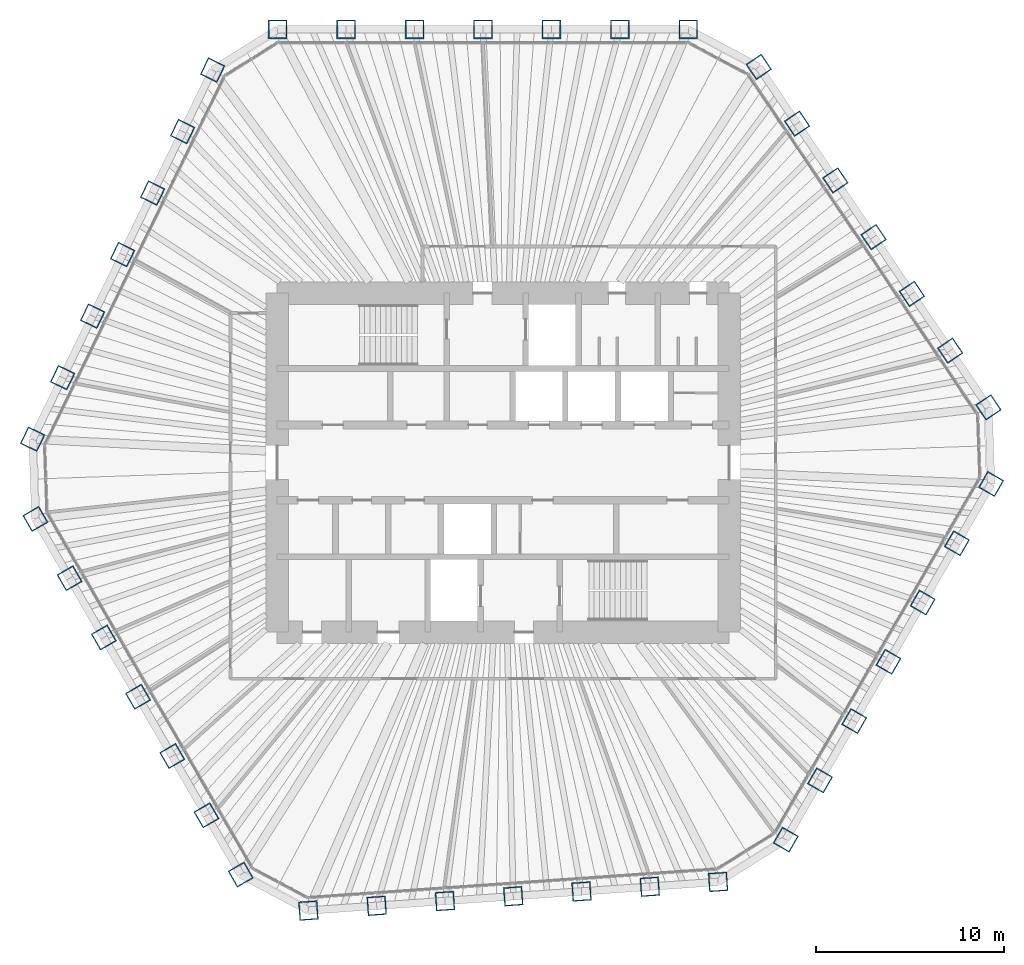
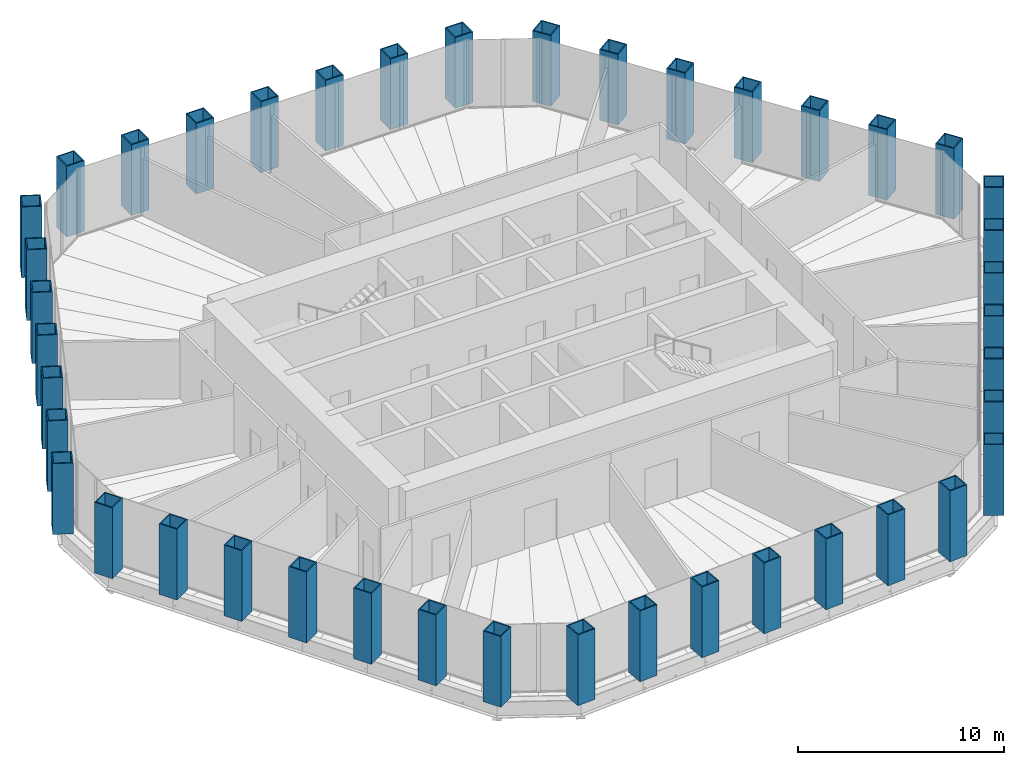
# One storey, part 1 of 14: 42 columns.
"""IFC4 building model written with IfcOpenShell, lengths in metres."""

from ifc_helpers import new_model, si_unit, direction, frame, origin, origin_2d, place, context, subcontext, project, spatial, hollow_rectangle, extrude, material, material_profile, profile_set, type_object, element, save


model = new_model("IFC4")

# Units and contexts
model_context = context("Model", 3, precision=1e-05, world=origin(), true_north=direction((0.0, 1.0)))
body_context = subcontext(model_context, "Body", "Model", "MODEL_VIEW")
ifc_project = project(units=[si_unit("LENGTHUNIT", "METRE"), si_unit("AREAUNIT", "SQUARE_METRE"), si_unit("VOLUMEUNIT", "CUBIC_METRE"), si_unit("PLANEANGLEUNIT", "RADIAN"), si_unit("MASSUNIT", "GRAM", prefix="KILO")], contexts=[model_context])

# Site, building, storey
site_placement = place(None, origin())
site = spatial("IfcSite", under=ifc_project, at=site_placement, CompositionType="ELEMENT")
building_placement = place(site_placement, origin())
building = spatial("IfcBuilding", under=site, at=building_placement, Name="Qingtian Harvest Tower", CompositionType="ELEMENT")
storey_placement = place(building_placement, frame((0.0, 0.0, 239.199951171875)))
storey = spatial("IfcBuildingStorey", under=building, at=storey_placement, Name="L52", CompositionType="ELEMENT", Elevation=239.199951171875)

# Columns
ifc_material = material(Name="Steel SM570MC", Category="steel")
ifc_material_profile = material_profile(ifc_material, hollow_rectangle(XDim=1.0, YDim=1.0, WallThickness=0.06005859375, at=origin_2d()), Name="BOX1000x1000x60")
ifc_profile_set = profile_set([ifc_material_profile], Name="Steel SM570MC")
column_type = type_object("IfcColumnType", Name="Tube column TC6 BOX1000x1000x60", PredefinedType="COLUMN", material=ifc_profile_set)
for number, where, z_axis, x_axis, name in (
    (1, (-11.971923828125, 23.0, 0.0), (0.0, 0.0, 1.0), (-1.0, 0.0, 0.0), "Tube column TC6 N0"),
    (2, (-8.33837890625, 23.0, 0.0), (0.0, 0.0, 1.0), (-1.0, 0.0, 0.0), "Tube column TC6 N1"),
    (3, (-4.704833984375, 23.0, 0.0), (0.0, 0.0, 1.0), (-1.0, 0.0, 0.0), "Tube column TC6 N2"),
    (4, (-1.0712890625, 23.0, 0.0), (0.0, 0.0, 1.0), (-1.0, 0.0, 0.0), "Tube column TC6 N3"),
    (5, (2.562255859375, 23.0, 0.0), (0.0, 0.0, 1.0), (-1.0, 0.0, 0.0), "Tube column TC6 N4"),
    (6, (6.19580078125, 23.0, 0.0), (0.0, 0.0, 1.0), (-1.0, 0.0, 0.0), "Tube column TC6 N5"),
    (7, (9.829345703125, 23.0, 0.0), (0.0, 0.0, 1.0), (-1.0, 0.0, 0.0), "Tube column TC6 N6"),
    (8, (13.5712890625, 21.01025390625, 0.0), (0.0, 0.0, 1.0), (-0.559192903471, 0.829037572555, 0.0), "Tube column TC6 NE0"),
    (9, (15.603271484375, 17.998046875, 0.0), (0.0, 0.0, 1.0), (-0.559192903471, 0.829037572555, 0.0), "Tube column TC6 NE1"),
    (10, (17.635009765625, 14.985595703125, 0.0), (0.0, 0.0, 1.0), (-0.559192903471, 0.829037572555, 0.0), "Tube column TC6 NE2"),
    (11, (19.6669921875, 11.97314453125, 0.0), (0.0, 0.0, 1.0), (-0.559192903471, 0.829037572555, 0.0), "Tube column TC6 NE3"),
    (12, (21.69873046875, 8.9609375, 0.0), (0.0, 0.0, 1.0), (-0.559192903471, 0.829037572555, 0.0), "Tube column TC6 NE4"),
    (13, (23.730712890625, 5.948486328125, 0.0), (0.0, 0.0, 1.0), (-0.559192903471, 0.829037572555, 0.0), "Tube column TC6 NE5"),
    (14, (25.762451171875, 2.936279296875, 0.0), (0.0, 0.0, 1.0), (-0.559192903471, 0.829037572555, 0.0), "Tube column TC6 NE6"),
    (15, (25.904541015625, -1.1318359375, 0.0), (0.0, 0.0, 1.0), (0.5, 0.866025403784, 0.0), "Tube column TC6 SE0"),
    (16, (24.087890625, -4.27880859375, 0.0), (0.0, 0.0, 1.0), (0.5, 0.866025403784, 0.0), "Tube column TC6 SE1"),
    (17, (22.27099609375, -7.425537109375, 0.0), (0.0, 0.0, 1.0), (0.5, 0.866025403784, 0.0), "Tube column TC6 SE2"),
    (18, (20.454345703125, -10.572265625, 0.0), (0.0, 0.0, 1.0), (0.5, 0.866025403784, 0.0), "Tube column TC6 SE3"),
    (19, (18.637451171875, -13.718994140625, 0.0), (0.0, 0.0, 1.0), (0.5, 0.866025403784, 0.0), "Tube column TC6 SE4"),
    (20, (16.82080078125, -16.86572265625, 0.0), (0.0, 0.0, 1.0), (0.5, 0.866025403784, 0.0), "Tube column TC6 SE5"),
    (21, (15.00390625, -20.012451171875, 0.0), (0.0, 0.0, 1.0), (0.5, 0.866025403784, 0.0), "Tube column TC6 SE6"),
    (22, (11.40966796875, -22.25830078125, 0.0), (0.0, 0.0, 1.0), (0.99756405026, 0.069756473744, 0.0), "Tube column TC6 S0"),
    (23, (7.78515625, -22.51171875, 0.0), (0.0, 0.0, 1.0), (0.99756405026, 0.069756473744, 0.0), "Tube column TC6 S1"),
    (24, (4.160400390625, -22.76513671875, 0.0), (0.0, 0.0, 1.0), (0.99756405026, 0.069756473744, 0.0), "Tube column TC6 S2"),
    (25, (0.53564453125, -23.018798828125, 0.0), (0.0, 0.0, 1.0), (0.99756405026, 0.069756473744, 0.0), "Tube column TC6 S3"),
    (26, (-3.089111328125, -23.272216796875, 0.0), (0.0, 0.0, 1.0), (0.99756405026, 0.069756473744, 0.0), "Tube column TC6 S4"),
    (27, (-6.713623046875, -23.525634765625, 0.0), (0.0, 0.0, 1.0), (0.99756405026, 0.069756473744, 0.0), "Tube column TC6 S5"),
    (28, (-10.33837890625, -23.779052734375, 0.0), (0.0, 0.0, 1.0), (0.99756405026, 0.069756473744, 0.0), "Tube column TC6 S6"),
    (29, (-13.9326171875, -21.8681640625, 0.0), (0.0, 0.0, 1.0), (0.5, -0.866025403784, 0.0), "Tube column TC6 SW0"),
    (30, (-15.749267578125, -18.72119140625, 0.0), (0.0, 0.0, 1.0), (0.5, -0.866025403784, 0.0), "Tube column TC6 SW1"),
    (31, (-17.566162109375, -15.574462890625, 0.0), (0.0, 0.0, 1.0), (0.5, -0.866025403784, 0.0), "Tube column TC6 SW2"),
    (32, (-19.3828125, -12.427734375, 0.0), (0.0, 0.0, 1.0), (0.5, -0.866025403784, 0.0), "Tube column TC6 SW3"),
    (33, (-21.19970703125, -9.281005859375, 0.0), (0.0, 0.0, 1.0), (0.5, -0.866025403784, 0.0), "Tube column TC6 SW4"),
    (34, (-23.016357421875, -6.13427734375, 0.0), (0.0, 0.0, 1.0), (0.5, -0.866025403784, 0.0), "Tube column TC6 SW5"),
    (35, (-24.833251953125, -2.987548828125, 0.0), (0.0, 0.0, 1.0), (0.5, -0.866025403784, 0.0), "Tube column TC6 SW6"),
    (36, (-24.981201171875, 1.248046875, 0.0), (0.0, 0.0, 1.0), (-0.438371146789, -0.898794046299, 0.0), "Tube column TC6 NW0"),
    (37, (-23.388427734375, 4.513916015625, 0.0), (0.0, 0.0, 1.0), (-0.438371146789, -0.898794046299, 0.0), "Tube column TC6 NW1"),
    (38, (-21.79541015625, 7.779541015625, 0.0), (0.0, 0.0, 1.0), (-0.438371146789, -0.898794046299, 0.0), "Tube column TC6 NW2"),
    (39, (-20.20263671875, 11.04541015625, 0.0), (0.0, 0.0, 1.0), (-0.438371146789, -0.898794046299, 0.0), "Tube column TC6 NW3"),
    (40, (-18.60986328125, 14.311279296875, 0.0), (0.0, 0.0, 1.0), (-0.438371146789, -0.898794046299, 0.0), "Tube column TC6 NW4"),
    (41, (-17.016845703125, 17.5771484375, 0.0), (0.0, 0.0, 1.0), (-0.438371146789, -0.898794046299, 0.0), "Tube column TC6 NW5"),
    (42, (-15.424072265625, 20.8427734375, 0.0), (0.0, 0.0, 1.0), (-0.438371146789, -0.898794046299, 0.0), "Tube column TC6 NW6"),
):
    element("IfcColumn", number, at=place(storey_placement, frame(where, z_axis=z_axis, x_axis=x_axis)), inside=storey, type_object=column_type, Name=name, PredefinedType="COLUMN", context=body_context, shape_type="SweptSolid", body=[
        extrude(hollow_rectangle(XDim=1.0, YDim=1.0, WallThickness=0.06005859375, at=origin_2d()), origin(), (0.0, 0.0, 1.0), 4.199951171875),
    ])

save(model, "model.ifc")
